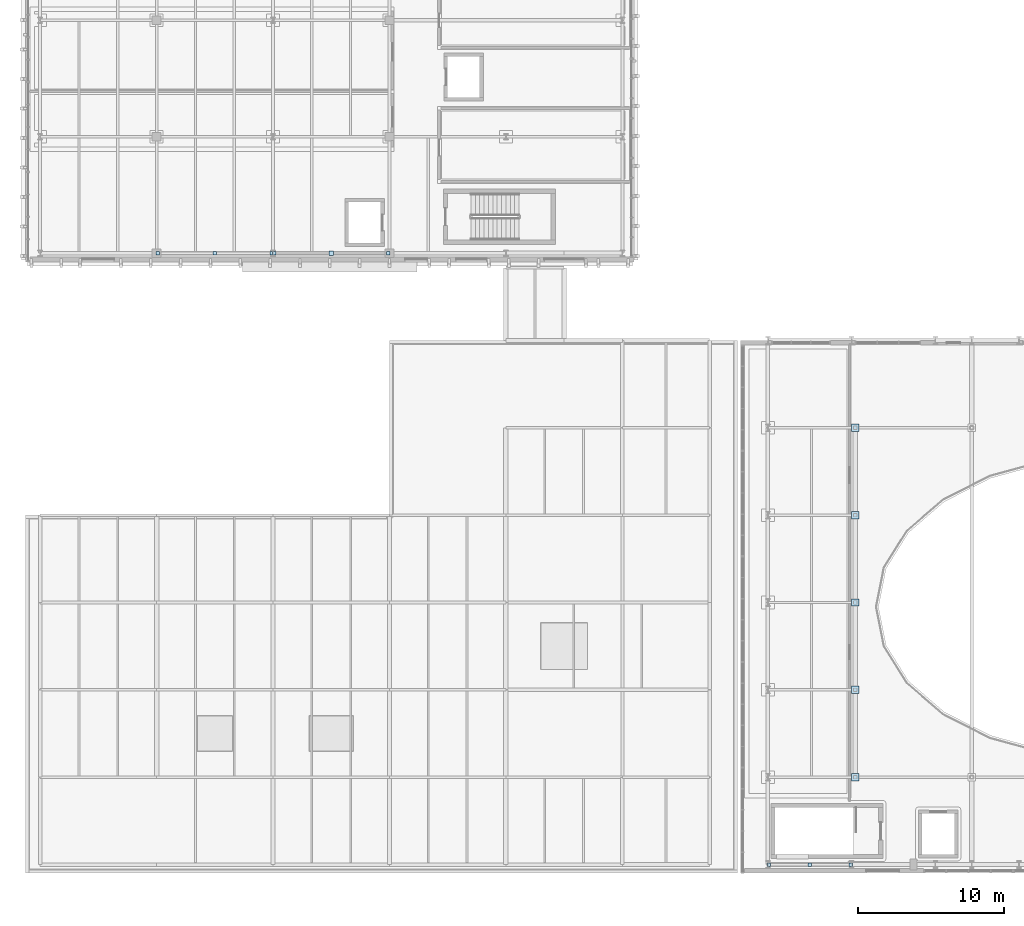
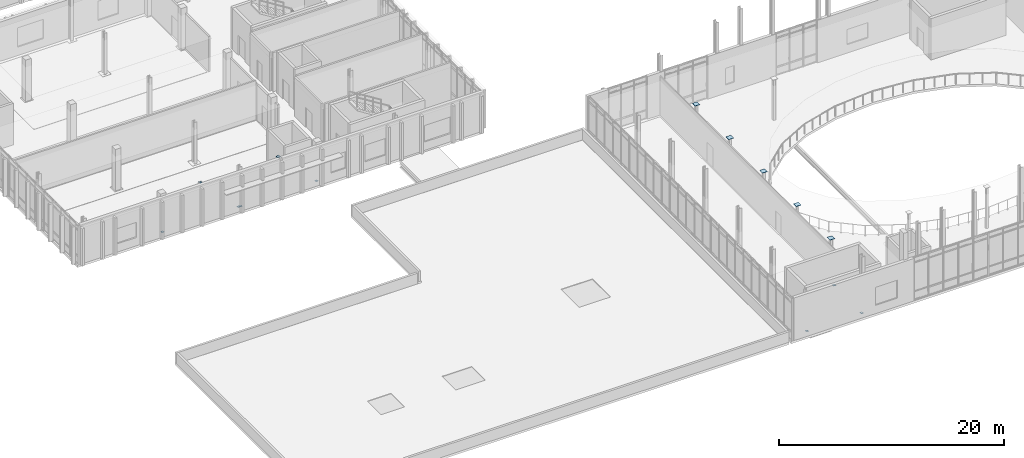
# One storey, part 55 of 86: 14 plates.
"""IFC4 building model written with IfcOpenShell, lengths in metres."""

from ifc_helpers import new_model, si_unit, direction, frame, origin, origin_2d, place, context, subcontext, project, spatial, rectangle, extrude, material, layer, layer_set, type_object, element, save


model = new_model("IFC4")

# Units and contexts
model_context = context("Model", 3, precision=1e-05, world=origin(), true_north=direction((0.0, 1.0)))
body_context = subcontext(model_context, "Body", "Model", "MODEL_VIEW")
ifc_project = project(units=[si_unit("LENGTHUNIT", "METRE"), si_unit("AREAUNIT", "SQUARE_METRE"), si_unit("VOLUMEUNIT", "CUBIC_METRE"), si_unit("PLANEANGLEUNIT", "RADIAN"), si_unit("MASSUNIT", "GRAM", prefix="KILO")], contexts=[model_context])

# Site, building, storey
site_placement = place(None, origin())
site = spatial("IfcSite", under=ifc_project, at=site_placement, CompositionType="ELEMENT")
building_placement = place(site_placement, origin())
building = spatial("IfcBuilding", under=site, at=building_placement, Name="Cymarion Research Institute", CompositionType="ELEMENT")
storey_placement = place(building_placement, frame((0.0, 0.0, 13.800048828125)))
storey = spatial("IfcBuildingStorey", under=building, at=storey_placement, Name="L03", CompositionType="ELEMENT", Elevation=13.800048828125)

# Plates
ifc_material = material(Name="Steel S355", Category="steel")
ifc_layer_1 = layer(ifc_material, 0.01806640625)
ifc_layer_set_1 = layer_set([ifc_layer_1], Name="Steel S355")
plate_type_1 = type_object("IfcPlateType", Name="STEEL NODE GUSSET PLATE CP01 18MM", PredefinedType="USERDEFINED", material=ifc_layer_set_1)
plate_placement = place(storey_placement, frame((26.60009765625, 47.5, 4.100830078125), z_axis=(0.0, 0.0, 1.0), x_axis=(1.0, 0.0, 0.0)))
element("IfcPlate", 1, at=plate_placement, inside=storey, type_object=plate_type_1, Name="L03 V4 chevron apex gusset plate", ObjectType="GUSSET PLATE", PredefinedType="USERDEFINED", context=body_context, shape_type="SweptSolid", body=[
    extrude(rectangle(XDim=0.300048828125, YDim=0.300048828125, at=origin_2d()), origin(), (0.0, 0.0, 1.0), 0.01806640625),
])
ifc_layer_2 = layer(ifc_material, 0.011962890625)
ifc_layer_set_2 = layer_set([ifc_layer_2], Name="Steel S355")
plate_type_2 = type_object("IfcPlateType", Name="STEEL NODE GUSSET PLATE CP02 12MM", PredefinedType="USERDEFINED", material=ifc_layer_set_2)
for number, where, z_axis, x_axis, name in (
    (2, (59.47509765625, 5.5, 4.10400390625), (0.0, 0.0, 1.0), (1.0, 0.0, 0.0), "L03 V2 chevron apex gusset plate"),
    (3, (56.670166015625, 5.5, 0.11376953125), (0.0, 0.0, 1.0), (1.0, 0.0, 0.0), "L03 V2 chevron base gusset plate #1"),
    (4, (62.27978515625, 5.5, 0.11376953125), (0.0, 0.0, 1.0), (1.0, 0.0, 0.0), "L03 V2 chevron base gusset plate #2"),
    (5, (18.60009765625, 47.5, 4.10400390625), (0.0, 0.0, 1.0), (1.0, 0.0, 0.0), "L03 V4 chevron apex gusset plate"),
    (6, (14.68505859375, 47.5, 0.11376953125), (0.0, 0.0, 1.0), (1.0, 0.0, 0.0), "L03 V4 chevron base gusset plate #1"),
    (7, (22.514892578125, 47.5, 0.11376953125), (0.0, 0.0, 1.0), (1.0, 0.0, 0.0), "L03 V4 chevron base gusset plate #2"),
    (8, (22.68505859375, 47.5, 0.11376953125), (0.0, 0.0, 1.0), (1.0, 0.0, 0.0), "L03 V4 chevron base gusset plate #1"),
    (9, (30.514892578125, 47.5, 0.11376953125), (0.0, 0.0, 1.0), (1.0, 0.0, 0.0), "L03 V4 chevron base gusset plate #2"),
):
    element("IfcPlate", number, at=place(storey_placement, frame(where, z_axis=z_axis, x_axis=x_axis)), inside=storey, type_object=plate_type_2, Name=name, ObjectType="GUSSET PLATE", PredefinedType="USERDEFINED", context=body_context, shape_type="SweptSolid", body=[
        extrude(rectangle(XDim=0.239990234375, YDim=0.239990234375, at=origin_2d()), origin(), (0.0, 0.0, 1.0), 0.011962890625),
    ])
ifc_layer_3 = layer(ifc_material, 0.030029296875)
ifc_layer_set_3 = layer_set([ifc_layer_3], Name="Steel S355")
plate_type_3 = type_object("IfcPlateType", Name="STEEL NODE GUSSET PLATE NP02 30MM", PredefinedType="USERDEFINED", material=ifc_layer_set_3)
for number, where, z_axis, x_axis, name in (
    (10, (62.60009765625, 11.5, 4.4697265625), (0.0, 0.0, 1.0), (1.0, 0.0, 0.0), "L03 V2 hollow column end cap plate NP02 #933"),
    (11, (62.60009765625, 17.5, 4.4697265625), (0.0, 0.0, 1.0), (1.0, 0.0, 0.0), "L03 V2 hollow column end cap plate NP02 #934"),
    (12, (62.60009765625, 23.5, 4.4697265625), (0.0, 0.0, 1.0), (1.0, 0.0, 0.0), "L03 V2 hollow column end cap plate NP02 #935"),
    (13, (62.60009765625, 29.5, 4.4697265625), (0.0, 0.0, 1.0), (1.0, 0.0, 0.0), "L03 V2 hollow column end cap plate NP02 #936"),
    (14, (62.60009765625, 35.5, 4.4697265625), (0.0, 0.0, 1.0), (1.0, 0.0, 0.0), "L03 V2 hollow column end cap plate NP02 #937"),
):
    element("IfcPlate", number, at=place(storey_placement, frame(where, z_axis=z_axis, x_axis=x_axis)), inside=storey, type_object=plate_type_3, Name=name, ObjectType="GUSSET PLATE", PredefinedType="USERDEFINED", context=body_context, shape_type="SweptSolid", body=[
        extrude(rectangle(XDim=0.5, YDim=0.5, at=origin_2d()), origin(), (0.0, 0.0, 1.0), 0.030029296875),
    ])

save(model, "model.ifc")
